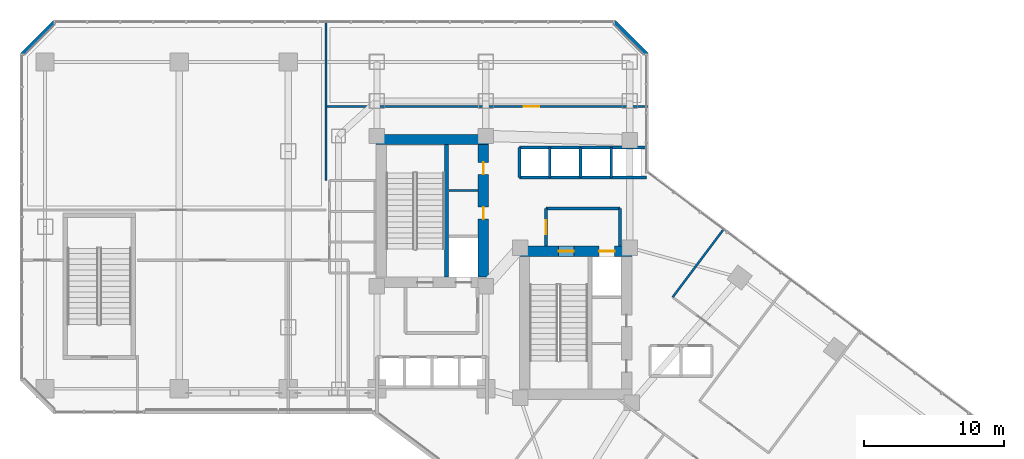
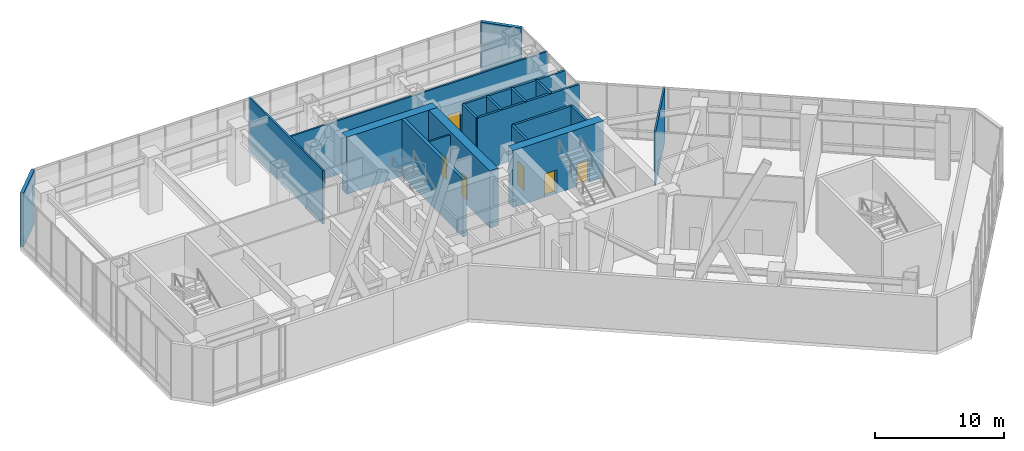
# One storey, part 29 of 35: 19 walls, 6 doors, 6 openings.
"""IFC4 building model written with IfcOpenShell, lengths in metres."""

from ifc_helpers import new_model, si_unit, direction, frame, frame_2d, origin, place, context, subcontext, project, spatial, rectangle, extrude, material, layer, layer_set, type_object, element, fill, save


model = new_model("IFC4")

# Units and contexts
model_context = context("Model", 3, precision=1e-05, world=origin(), true_north=direction((0.0, 1.0)))
body_context = subcontext(model_context, "Body", "Model", "MODEL_VIEW")
ifc_project = project(units=[si_unit("LENGTHUNIT", "METRE"), si_unit("AREAUNIT", "SQUARE_METRE"), si_unit("VOLUMEUNIT", "CUBIC_METRE"), si_unit("PLANEANGLEUNIT", "RADIAN"), si_unit("MASSUNIT", "GRAM", prefix="KILO")], contexts=[model_context])

# Site, building, storey
site_placement = place(None, origin())
site = spatial("IfcSite", under=ifc_project, at=site_placement, CompositionType="ELEMENT")
building_placement = place(site_placement, origin())
building = spatial("IfcBuilding", under=site, at=building_placement, Name="Hatsunagi Terrace Concourse", CompositionType="ELEMENT")
storey_placement = place(building_placement, frame((0.0, 0.0, 5.39990234375)))
storey = spatial("IfcBuildingStorey", under=building, at=storey_placement, Name="L02", CompositionType="ELEMENT", Elevation=5.39990234375)

# Wall
ifc_material_1 = material(Name="Concrete Fc60", Category="concrete")
ifc_layer_1 = layer(ifc_material_1, 0.75)
ifc_layer_set_1 = layer_set([ifc_layer_1], Name="CoreShearWall_Fc60_750")
wall_type_1 = type_object("IfcWallType", Name="CoreShearWall_Fc60_750", PredefinedType="SHEAR", material=ifc_layer_set_1)
wall_1_placement = place(storey_placement, frame((25.469970703125, 43.044921875, 0.0), z_axis=(0.0, 0.0, 1.0), x_axis=(1.0, 0.0, 0.0)))
element("IfcWall", 1, at=wall_1_placement, inside=storey, type_object=wall_type_1, Name="Core A Shear Wall N L02", PredefinedType="SHEAR", context=body_context, shape_type="SweptSolid", body=[
    extrude(rectangle(XDim=8.080078125, YDim=0.75, at=frame_2d((4.0400390625, 0.0))), origin(), (0.0, 0.0, 1.0), 5.400146484375),
])

# Wall, openings, doors
wall_2_placement = place(storey_placement, frame((33.175048828125, 33.18994140625, 0.0), z_axis=(0.0, 0.0, 1.0), x_axis=(0.0, 1.0, 0.0)))
wall_2 = element("IfcWall", 2, at=wall_2_placement, inside=storey, type_object=wall_type_1, Name="Core A Shear Wall E L02", PredefinedType="SHEAR", context=body_context, shape_type="SweptSolid", body=[
    extrude(rectangle(XDim=9.47998046875, YDim=0.75, at=frame_2d((4.739990234375, 0.0))), origin(), (0.0, 0.0, 1.0), 5.400146484375),
])
opening_1_placement = place(wall_2_placement, frame((4.159912109375, 0.0, 0.0)))
opening_1 = element("IfcOpeningElement", 3, at=opening_1_placement, cuts=wall_2, Name="Opening DR-085", PredefinedType="OPENING", context=body_context, shape_type="SweptSolid", body=[
    extrude(rectangle(XDim=0.85009765625, YDim=2.080078125, at=frame_2d((0.425048828125, 1.0400390625))), frame((0.0, 0.385009765625, 0.0), z_axis=(0.0, -1.0, 0.0), x_axis=(1.0, 0.0, 0.0)), (0.0, 0.0, 1.0), 0.77001953125),
])
opening_2_placement = place(wall_2_placement, frame((7.360107421875, 0.0, 0.0)))
opening_2 = element("IfcOpeningElement", 4, at=opening_2_placement, cuts=wall_2, Name="Opening DR-085", PredefinedType="OPENING", context=body_context, shape_type="SweptSolid", body=[
    extrude(rectangle(XDim=0.85009765625, YDim=2.080078125, at=frame_2d((0.425048828125, 1.0400390625))), frame((0.0, 0.385009765625, 0.0), z_axis=(0.0, -1.0, 0.0), x_axis=(1.0, 0.0, 0.0)), (0.0, 0.0, 1.0), 0.77001953125),
])
ifc_material_2 = material(Name="Painted steel", Category="steel")
door_type_1 = type_object("IfcDoorType", Name="RiserAccessDoor_EI60_850", OperationType="NOTDEFINED", PredefinedType="DOOR", material=ifc_material_2)
door_1_placement = place(opening_1_placement, origin())
door_1 = element("IfcDoor", 5, at=door_1_placement, inside=storey, type_object=door_type_1, Name="Core A Riser Door L02-1", OperationType="SINGLE_SWING_LEFT", OverallHeight=2.080078125, OverallWidth=0.85009765625, PredefinedType="DOOR", context=body_context, shape_type="SweptSolid", body=[
    extrude(rectangle(XDim=0.85009765625, YDim=2.080078125, at=frame_2d((0.425048828125, 1.0400390625))), frame((0.0, 0.02490234375, 0.0), z_axis=(0.0, -1.0, 0.0), x_axis=(1.0, 0.0, 0.0)), (0.0, 0.0, 1.0), 0.050048828125),
])
fill(opening_1, door_1)
door_2_placement = place(opening_2_placement, origin())
door_2 = element("IfcDoor", 6, at=door_2_placement, inside=storey, type_object=door_type_1, Name="Core A Riser Door L02-2", OperationType="SINGLE_SWING_LEFT", OverallHeight=2.080078125, OverallWidth=0.85009765625, PredefinedType="DOOR", context=body_context, shape_type="SweptSolid", body=[
    extrude(rectangle(XDim=0.85009765625, YDim=2.080078125, at=frame_2d((0.425048828125, 1.0400390625))), frame((0.0, 0.02490234375, 0.0), z_axis=(0.0, -1.0, 0.0), x_axis=(1.0, 0.0, 0.0)), (0.0, 0.0, 1.0), 0.050048828125),
])
fill(opening_2, door_2)

wall_3_placement = place(storey_placement, frame((35.739990234375, 35.044921875, 0.0), z_axis=(0.0, 0.0, 1.0), x_axis=(1.0, 0.0, 0.0)))
wall_3 = element("IfcWall", 7, at=wall_3_placement, inside=storey, type_object=wall_type_1, Name="Core B Shear Wall N L02", PredefinedType="SHEAR", context=body_context, shape_type="SweptSolid", body=[
    extrude(rectangle(XDim=8.06005859375, YDim=0.75, at=frame_2d((4.030029296875, 0.0))), origin(), (0.0, 0.0, 1.0), 5.400146484375),
])
opening_3_placement = place(wall_3_placement, frame((2.81005859375, 0.0, 0.0)))
opening_3 = element("IfcOpeningElement", 8, at=opening_3_placement, cuts=wall_3, Name="Opening DR-110S", PredefinedType="OPENING", context=body_context, shape_type="SweptSolid", body=[
    extrude(rectangle(XDim=1.10009765625, YDim=2.199951171875, at=frame_2d((0.550048828125, 1.10009765625))), frame((0.0, 0.385009765625, 0.0), z_axis=(0.0, -1.0, 0.0), x_axis=(1.0, 0.0, 0.0)), (0.0, 0.0, 1.0), 0.77001953125),
])
opening_4_placement = place(wall_3_placement, frame((5.7099609375, 0.0, 0.0)))
opening_4 = element("IfcOpeningElement", 9, at=opening_4_placement, cuts=wall_3, Name="Opening LD-02", PredefinedType="OPENING", context=body_context, shape_type="SweptSolid", body=[
    extrude(rectangle(XDim=1.1201171875, YDim=2.14990234375, at=frame_2d((0.56005859375, 1.074951171875))), frame((0.0, 0.385009765625, 0.0), z_axis=(0.0, -1.0, 0.0), x_axis=(1.0, 0.0, 0.0)), (0.0, 0.0, 1.0), 0.77001953125),
])
ifc_material_3 = material(Name="Stainless steel", Category="steel")
door_type_2 = type_object("IfcDoorType", Name="LiftLandingDoor_LD02", OperationType="SLIDING_TO_RIGHT", PredefinedType="USERDEFINED", material=ifc_material_3)
door_3_placement = place(opening_4_placement, origin())
door_3 = element("IfcDoor", 10, at=door_3_placement, inside=storey, type_object=door_type_2, Name="Lift landing door FF-02 L02", ObjectType="SLIDING_LANDING_DOOR", OperationType="SLIDING_TO_RIGHT", OverallHeight=2.14990234375, OverallWidth=1.1201171875, PredefinedType="USERDEFINED", context=body_context, shape_type="SweptSolid", body=[
    extrude(rectangle(XDim=1.1201171875, YDim=2.14990234375, at=frame_2d((0.56005859375, 1.074951171875))), frame((0.0, 0.02490234375, 0.0), z_axis=(0.0, -1.0, 0.0), x_axis=(1.0, 0.0, 0.0)), (0.0, 0.0, 1.0), 0.050048828125),
])
fill(opening_4, door_3)
ifc_material_4 = material(Name="Painted steel", Category="steel")
door_type_3 = type_object("IfcDoorType", Name="StairFireDoor_EI60_1100", OperationType="NOTDEFINED", PredefinedType="DOOR", material=ifc_material_4)
door_4_placement = place(opening_3_placement, origin())
door_4 = element("IfcDoor", 11, at=door_4_placement, inside=storey, type_object=door_type_3, Name="Stair ST-B Exit Door L02", OperationType="SINGLE_SWING_RIGHT", OverallHeight=2.199951171875, OverallWidth=1.10009765625, PredefinedType="DOOR", context=body_context, shape_type="SweptSolid", body=[
    extrude(rectangle(XDim=1.10009765625, YDim=2.199951171875, at=frame_2d((0.550048828125, 1.10009765625))), frame((0.0, 0.02490234375, 0.0), z_axis=(0.0, -1.0, 0.0), x_axis=(1.0, 0.0, 0.0)), (0.0, 0.0, 1.0), 0.050048828125),
])
fill(opening_3, door_4)

# Walls
ifc_material_5 = material(Name="Concrete Fc48", Category="concrete")
ifc_layer_2 = layer(ifc_material_5, 0.300048828125)
ifc_layer_set_2 = layer_set([ifc_layer_2], Name="CoreStairDivider_Fc48_300")
wall_type_2 = type_object("IfcWallType", Name="CoreStairDivider_Fc48_300", PredefinedType="SHEAR", material=ifc_layer_set_2)
wall_4_placement = place(storey_placement, frame((30.5400390625, 33.18994140625, 0.0), z_axis=(0.0, 0.0, 1.0), x_axis=(0.0, 1.0, 0.0)))
element("IfcWall", 12, at=wall_4_placement, inside=storey, type_object=wall_type_2, Name="Core A Shear Wall D L02", PredefinedType="SHEAR", context=body_context, shape_type="SweptSolid", body=[
    extrude(rectangle(XDim=9.47998046875, YDim=0.300048828125, at=frame_2d((4.739990234375, 0.0))), origin(), (0.0, 0.0, 1.0), 5.400146484375),
])
ifc_material_6 = material(Name="Acoustic mineral board", Category="gypsum")
ifc_layer_3 = layer(ifc_material_6, 0.14990234375)
ifc_layer_set_3 = layer_set([ifc_layer_3], Name="PartitionWall_EI60_150")
wall_type_3 = type_object("IfcWallType", Name="PartitionWall_EI60_150", PredefinedType="PARTITIONING", material=ifc_layer_set_3)
wall_5_placement = place(storey_placement, frame((30.699951171875, 39.39990234375, 0.0), z_axis=(0.0, 0.0, 1.0), x_axis=(1.0, 0.0, 0.0)))
element("IfcWall", 13, at=wall_5_placement, inside=storey, type_object=wall_type_3, Name="Interior Partition IW-L02-002", PredefinedType="PARTITIONING", context=body_context, shape_type="SweptSolid", body=[
    extrude(rectangle(XDim=2.10009765625, YDim=0.14990234375, at=frame_2d((1.050048828125, 0.0))), origin(), (0.0, 0.0, 1.0), 5.10009765625),
])
wall_6_placement = place(storey_placement, frame((21.89990234375, 40.10009765625, 0.0), z_axis=(0.0, 0.0, 1.0), x_axis=(0.0, 1.0, 0.0)))
element("IfcWall", 14, at=wall_6_placement, inside=storey, type_object=wall_type_3, Name="Interior Partition IW-L02-038", PredefinedType="PARTITIONING", context=body_context, shape_type="SweptSolid", body=[
    extrude(rectangle(XDim=11.4599609375, YDim=0.14990234375, at=frame_2d((5.72998046875, 0.0))), origin(), (0.0, 0.0, 1.0), 5.10009765625),
])

# Wall, opening, door
wall_7_placement = place(storey_placement, frame((21.89990234375, 45.39990234375, 0.0), z_axis=(0.0, 0.0, 1.0), x_axis=(1.0, 0.0, 0.0)))
wall_7 = element("IfcWall", 15, at=wall_7_placement, inside=storey, type_object=wall_type_3, Name="Interior Partition IW-L02-045", PredefinedType="PARTITIONING", context=body_context, shape_type="SweptSolid", body=[
    extrude(rectangle(XDim=23.06005859375, YDim=0.14990234375, at=frame_2d((11.530029296875, 0.0))), origin(), (0.0, 0.0, 1.0), 5.10009765625),
])
opening_5_placement = place(wall_7_placement, frame((14.159912109375, 0.0, 0.0)))
opening_5 = element("IfcOpeningElement", 16, at=opening_5_placement, cuts=wall_7, Name="Opening DR-110W", PredefinedType="OPENING", context=body_context, shape_type="SweptSolid", body=[
    extrude(rectangle(XDim=1.10009765625, YDim=2.159912109375, at=frame_2d((0.550048828125, 1.080078125))), frame((0.0, 0.0849609375, 0.0), z_axis=(0.0, -1.0, 0.0), x_axis=(1.0, 0.0, 0.0)), (0.0, 0.0, 1.0), 0.169921875),
])
ifc_material_7 = material(Name="Hardwood timber", Category="wood")
door_type_4 = type_object("IfcDoorType", Name="SuiteWideDoor_EI30_1100", OperationType="NOTDEFINED", PredefinedType="DOOR", material=ifc_material_7)
door_5_placement = place(opening_5_placement, origin())
door_5 = element("IfcDoor", 17, at=door_5_placement, inside=storey, type_object=door_type_4, Name="VIP Lounge L02-VIP2 Door", OperationType="SINGLE_SWING_RIGHT", OverallHeight=2.159912109375, OverallWidth=1.10009765625, PredefinedType="DOOR", context=body_context, shape_type="SweptSolid", body=[
    extrude(rectangle(XDim=1.10009765625, YDim=2.159912109375, at=frame_2d((0.550048828125, 1.080078125))), frame((0.0, 0.02490234375, 0.0), z_axis=(0.0, -1.0, 0.0), x_axis=(1.0, 0.0, 0.0)), (0.0, 0.0, 1.0), 0.050048828125),
])
fill(opening_5, door_5)

# Walls
wall_8_placement = place(storey_placement, frame((46.719970703125, 31.760009765625, 0.0), z_axis=(0.0, 0.0, 1.0), x_axis=(0.600006341286, 0.799995243996, 0.0)))
element("IfcWall", 18, at=wall_8_placement, inside=storey, type_object=wall_type_3, Name="Interior Partition IW-L02-054", PredefinedType="PARTITIONING", context=body_context, shape_type="SweptSolid", body=[
    extrude(rectangle(XDim=6.159912109375, YDim=0.14990234375, at=frame_2d((3.080078125, 0.0))), origin(), (0.0, 0.0, 1.0), 5.10009765625),
])
ifc_material_8 = material(Name="Acoustic mineral board", Category="gypsum")
ifc_layer_4 = layer(ifc_material_8, 0.199951171875)
ifc_layer_set_4 = layer_set([ifc_layer_4], Name="ShaftWall_EI120_200")
wall_type_4 = type_object("IfcWallType", Name="ShaftWall_EI120_200", PredefinedType="STANDARD", material=ifc_layer_set_4)
wall_9_placement = place(storey_placement, frame((37.64990234375, 38.10009765625, 0.0), z_axis=(0.0, 0.0, 1.0), x_axis=(1.0, 0.0, 0.0)))
element("IfcWall", 19, at=wall_9_placement, inside=storey, type_object=wall_type_4, Name="Interior Partition IW-L02-008", PredefinedType="STANDARD", context=body_context, shape_type="SweptSolid", body=[
    extrude(rectangle(XDim=5.300048828125, YDim=0.199951171875, at=frame_2d((2.64990234375, 0.0))), origin(), (0.0, 0.0, 1.0), 5.10009765625),
])
wall_10_placement = place(storey_placement, frame((42.949951171875, 35.419921875, 0.0), z_axis=(0.0, 0.0, 1.0), x_axis=(0.0, 1.0, 0.0)))
element("IfcWall", 20, at=wall_10_placement, inside=storey, type_object=wall_type_4, Name="Interior Partition IW-L02-009", PredefinedType="STANDARD", context=body_context, shape_type="SweptSolid", body=[
    extrude(rectangle(XDim=2.68017578125, YDim=0.199951171875, at=frame_2d((1.340087890625, 0.0))), origin(), (0.0, 0.0, 1.0), 5.10009765625),
])

# Wall, opening, door
wall_11_placement = place(storey_placement, frame((37.64990234375, 35.419921875, 0.0), z_axis=(0.0, 0.0, 1.0), x_axis=(0.0, 1.0, 0.0)))
wall_11 = element("IfcWall", 21, at=wall_11_placement, inside=storey, type_object=wall_type_4, Name="Interior Partition IW-L02-010", PredefinedType="STANDARD", context=body_context, shape_type="SweptSolid", body=[
    extrude(rectangle(XDim=2.68017578125, YDim=0.199951171875, at=frame_2d((1.340087890625, 0.0))), origin(), (0.0, 0.0, 1.0), 5.10009765625),
])
opening_6_placement = place(wall_11_placement, frame((0.840087890625, 0.0, 0.0)))
opening_6 = element("IfcOpeningElement", 22, at=opening_6_placement, cuts=wall_11, Name="Opening DR-100F", PredefinedType="OPENING", context=body_context, shape_type="SweptSolid", body=[
    extrude(rectangle(XDim=1.0, YDim=2.199951171875, at=frame_2d((0.5, 1.10009765625))), frame((0.0, 0.10986328125, 0.0), z_axis=(0.0, -1.0, 0.0), x_axis=(1.0, 0.0, 0.0)), (0.0, 0.0, 1.0), 0.219970703125),
])
ifc_material_9 = material(Name="Painted steel", Category="steel")
door_type_5 = type_object("IfcDoorType", Name="FireDoor_EI60_1000", OperationType="NOTDEFINED", PredefinedType="DOOR", material=ifc_material_9)
door_6_placement = place(opening_6_placement, origin())
door_6 = element("IfcDoor", 23, at=door_6_placement, inside=storey, type_object=door_type_5, Name="Firefighting Lobby B Door L02", OperationType="SINGLE_SWING_RIGHT", OverallHeight=2.199951171875, OverallWidth=1.0, PredefinedType="DOOR", context=body_context, shape_type="SweptSolid", body=[
    extrude(rectangle(XDim=1.0, YDim=2.199951171875, at=frame_2d((0.5, 1.10009765625))), frame((0.0, 0.02490234375, 0.0), z_axis=(0.0, -1.0, 0.0), x_axis=(1.0, 0.0, 0.0)), (0.0, 0.0, 1.0), 0.050048828125),
])
fill(opening_6, door_6)

# Walls
wall_12_placement = place(storey_placement, frame((35.75, 42.47998046875, 0.0), z_axis=(0.0, 0.0, 1.0), x_axis=(1.0, 0.0, 0.0)))
element("IfcWall", 24, at=wall_12_placement, inside=storey, type_object=wall_type_4, Name="Interior Partition IW-L02-018", PredefinedType="STANDARD", context=body_context, shape_type="SweptSolid", body=[
    extrude(rectangle(XDim=9.110107421875, YDim=0.199951171875, at=frame_2d((4.55517578125, 0.0))), origin(), (0.0, 0.0, 1.0), 5.10009765625),
])
for number, where, z_axis, x_axis, name in (
    (25, (35.75, 40.320068359375, 0.0), (0.0, 0.0, 1.0), (0.0, 1.0, 0.0), "Interior Partition IW-L02-019"),
    (26, (37.919921875, 40.320068359375, 0.0), (0.0, 0.0, 1.0), (0.0, 1.0, 0.0), "Interior Partition IW-L02-020"),
    (27, (40.1201171875, 40.320068359375, 0.0), (0.0, 0.0, 1.0), (0.0, 1.0, 0.0), "Interior Partition IW-L02-021"),
    (28, (42.320068359375, 40.320068359375, 0.0), (0.0, 0.0, 1.0), (0.0, 1.0, 0.0), "Interior Partition IW-L02-022"),
):
    element("IfcWall", number, at=place(storey_placement, frame(where, z_axis=z_axis, x_axis=x_axis)), inside=storey, type_object=wall_type_4, Name=name, PredefinedType="STANDARD", context=body_context, shape_type="SweptSolid", body=[
        extrude(rectangle(XDim=2.159912109375, YDim=0.199951171875, at=frame_2d((1.080078125, 0.0))), origin(), (0.0, 0.0, 1.0), 5.10009765625),
    ])
wall_13_placement = place(storey_placement, frame((35.75, 40.320068359375, 0.0), z_axis=(0.0, 0.0, 1.0), x_axis=(1.0, 0.0, 0.0)))
element("IfcWall", 29, at=wall_13_placement, inside=storey, type_object=wall_type_4, Name="Interior Partition IW-L02-023", PredefinedType="STANDARD", context=body_context, shape_type="SweptSolid", body=[
    extrude(rectangle(XDim=9.110107421875, YDim=0.199951171875, at=frame_2d((4.55517578125, 0.0))), origin(), (0.0, 0.0, 1.0), 5.10009765625),
])
ifc_material_10 = material(Name="Autoclaved Lightweight Concrete and Terracotta Cladding", Category="masonry")
ifc_layer_5 = layer(ifc_material_10, 0.280029296875)
ifc_layer_set_5 = layer_set([ifc_layer_5], Name="TerracottaSpandrelWall_280")
wall_type_5 = type_object("IfcWallType", Name="TerracottaSpandrelWall_280", PredefinedType="STANDARD", material=ifc_layer_set_5)
for number, where, z_axis, x_axis, name in (
    (30, (0.139892578125, 49.14208984375, 0.0), (0.0, 0.0, 1.0), (0.707144017911, 0.707069542501, 0.0), "Exterior Spandrel Wall EW-L02-11"),
    (31, (42.5419921875, 51.4599609375, 0.0), (0.0, 0.0, 1.0), (0.707144017911, -0.707069542501, 0.0), "Exterior Spandrel Wall EW-L02-13"),
):
    element("IfcWall", number, at=place(storey_placement, frame(where, z_axis=z_axis, x_axis=x_axis)), inside=storey, type_object=wall_type_5, Name=name, PredefinedType="STANDARD", context=body_context, shape_type="SweptSolid", body=[
        extrude(rectangle(XDim=3.278076171875, YDim=0.280029296875, at=frame_2d((1.63916015625, 0.0))), origin(), (0.0, 0.0, 1.0), 5.10009765625),
    ])

save(model, "model.ifc")
